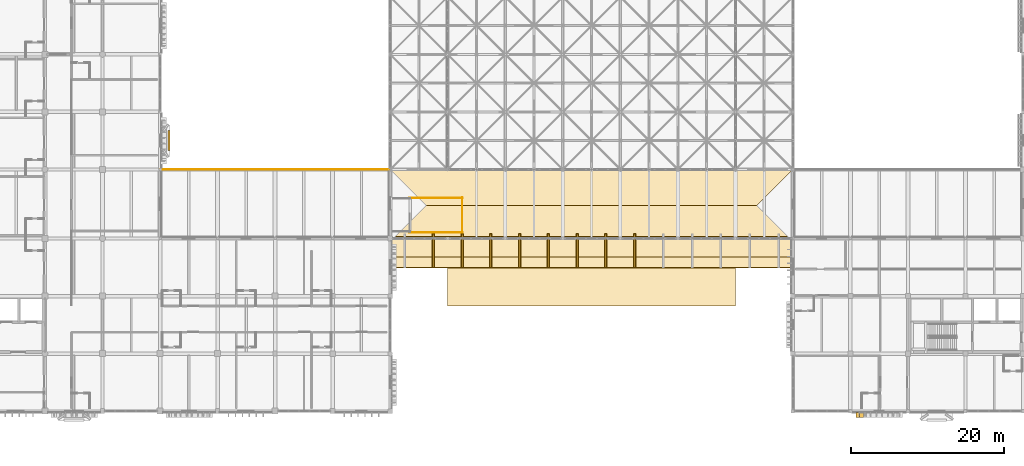
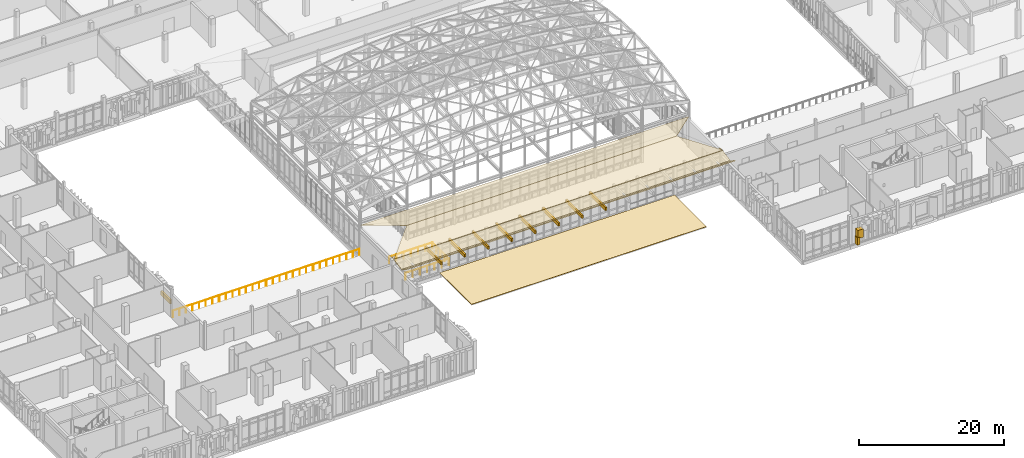
# One storey, part 116 of 131: 16 coverings, 7 railings.
"""IFC4 building model written with IfcOpenShell, lengths in metres."""

from ifc_helpers import new_model, si_unit, direction, frame, origin, origin_2d, place, context, subcontext, project, spatial, polyline, rectangle, circle, outline, extrude, material, layer, layer_set, type_object, element, save


model = new_model("IFC4")

# Units and contexts
model_context = context("Model", 3, precision=1e-05, world=origin(), true_north=direction((0.0, 1.0)))
body_context = subcontext(model_context, "Body", "Model", "MODEL_VIEW")
ifc_project = project(units=[si_unit("LENGTHUNIT", "METRE"), si_unit("AREAUNIT", "SQUARE_METRE"), si_unit("VOLUMEUNIT", "CUBIC_METRE"), si_unit("PLANEANGLEUNIT", "RADIAN"), si_unit("MASSUNIT", "GRAM", prefix="KILO")], contexts=[model_context])

# Site, building, storey
site_placement = place(None, origin())
site = spatial("IfcSite", under=ifc_project, at=site_placement, CompositionType="ELEMENT")
building_placement = place(site_placement, origin())
building = spatial("IfcBuilding", under=site, at=building_placement, Name="Dalvernix Boulevard General Hospital", CompositionType="ELEMENT")
storey_placement = place(building_placement, frame((0.0, 0.0, 9.300048828125)))
storey = spatial("IfcBuildingStorey", under=building, at=storey_placement, Name="L02", CompositionType="ELEMENT", Elevation=9.300048828125)

# Coverings
ifc_material_1 = material(Name="Pressed Catalan clay brick and dressed limestone parabolic archivolt", Category="masonry")
ifc_layer_1 = layer(ifc_material_1, 0.419921875)
ifc_layer_set_1 = layer_set([ifc_layer_1], Name="Pressed Catalan clay brick and dressed limestone parabolic archivolt (COV-ARC-01)")
covering_type_1 = type_object("IfcCoveringType", Name="COV-ARC-01", PredefinedType="CLADDING", material=ifc_layer_set_1)
covering_1_placement = place(storey_placement, frame((120.949951171875, -0.485107421875, 0.0), z_axis=(0.0, 0.0, 1.0), x_axis=(-1.0, 0.0, 0.0)))
element("IfcCovering", 1, at=covering_1_placement, inside=storey, type_object=covering_type_1, Name="L02 Catalan parabolic arch impost pier S 16-0-R", PredefinedType="CLADDING", context=body_context, shape_type="SweptSolid", body=[
    extrude(rectangle(XDim=0.4599609375, YDim=0.659912109375, at=origin_2d()), origin(), (0.0, 0.0, 1.0), 1.25),
])
covering_2_placement = place(storey_placement, frame((121.260986328125, -0.485107421875, 1.059814453125), z_axis=(0.0, 0.0, 1.0), x_axis=(-1.0, 0.0, 0.0)))
element("IfcCovering", 2, at=covering_2_placement, inside=storey, type_object=covering_type_1, Name="L02 Catalan parabolic archivolt voussoir S 16-0-9", PredefinedType="CLADDING", context=body_context, shape_type="SweptSolid", body=[
    extrude(rectangle(XDim=0.8623046875, YDim=0.659912109375, at=origin_2d()), origin(), (0.0, 0.0, 1.0), 1.3994140625),
])
ifc_material_2 = material(Name="Polychrome glazed Catalan trencadis ceramic faceted bay spandrel")
ifc_layer_2 = layer(ifc_material_2, 0.280029296875)
ifc_layer_set_2 = layer_set([ifc_layer_2], Name="Polychrome glazed Catalan trencadis ceramic faceted bay spandrel (COV-BAY-01)")
covering_type_2 = type_object("IfcCoveringType", Name="COV-BAY-01", PredefinedType="CLADDING", material=ifc_layer_set_2)
covering_3_placement = place(storey_placement, frame((31.18505859375, 35.25, 0.3798828125), z_axis=(0.0, 0.0, 1.0), x_axis=(0.0, -1.0, 0.0)))
element("IfcCovering", 3, at=covering_3_placement, inside=storey, type_object=covering_type_2, Name="L02 projecting faceted trencadis bay spandrel E 4-4", PredefinedType="CLADDING", context=body_context, shape_type="SweptSolid", body=[
    extrude(rectangle(XDim=2.60009765625, YDim=0.280029296875, at=origin_2d()), origin(), (0.0, 0.0, 1.0), 0.679931640625),
])
ifc_material_3 = material(Name="Glazed Catalan terracotta and iroko timber overhanging upturned eave", Category="masonry")
ifc_layer_3 = layer(ifc_material_3, 0.139892578125)
ifc_layer_set_3 = layer_set([ifc_layer_3], Name="Glazed Catalan terracotta and iroko timber overhanging upturned eave (COV-EAVE-01)")
covering_type_3 = type_object("IfcCoveringType", Name="COV-EAVE-01", PredefinedType="CLADDING", material=ifc_layer_set_3)
covering_4_placement = place(storey_placement, frame((60.0, 22.75, 5.06005859375), z_axis=(0.0, -0.185805173125, 0.982586605669), x_axis=(1.0, 0.0, 0.0)))
element("IfcCovering", 4, at=covering_4_placement, inside=storey, type_object=covering_type_3, Name="V1S overhanging ceramic eave skirt S", PredefinedType="CLADDING", context=body_context, shape_type="SweptSolid", body=[
    extrude(outline(polyline([(0.0, 0.0), (52.5, 0.0), (52.5, -2.798735484621844), (0.0, -2.798735484621844), (0.0, 0.0)])), origin(), (0.0, 0.0, -1.0), 0.139892578125),
])
covering_5_placement = place(storey_placement, frame((60.0, 20.080078125, 4.5400390625), z_axis=(0.0, 0.542906093133, 0.839793411524), x_axis=(1.0, 0.0, 0.0)))
element("IfcCovering", 5, at=covering_5_placement, inside=storey, type_object=covering_type_3, Name="V1S upturned ceramic eave wing S", PredefinedType="CLADDING", context=body_context, shape_type="SweptSolid", body=[
    extrude(outline(polyline([(0.0, 0.0), (52.5, 0.0), (52.5, -1.5838158608391104), (0.0, -1.5838158608391104), (0.0, 0.0)])), origin(), (0.0, 0.0, -1.0), 0.139892578125),
])
ifc_material_4 = material(Name="Preservative-treated glulam GL28h eave outlooker corbel bracket", Category="wood")
ifc_layer_4 = layer(ifc_material_4, 0.239990234375)
ifc_layer_set_4 = layer_set([ifc_layer_4], Name="Preservative-treated glulam GL28h eave outlooker corbel bracket (COV-OUTLOOK-01)")
covering_type_4 = type_object("IfcCoveringType", Name="COV-OUTLOOK-01", PredefinedType="CLADDING", material=ifc_layer_set_4)
for number, where, z_axis, x_axis, name in (
    (6, (65.625, 20.925048828125, 4.139892578125), (0.0, 0.0, 1.0), (1.0, 0.0, 0.0), "V1S glulam eave outlooker corbel S-2"),
    (7, (69.375, 20.925048828125, 4.139892578125), (0.0, 0.0, 1.0), (1.0, 0.0, 0.0), "V1S glulam eave outlooker corbel S-3"),
    (8, (73.125, 20.925048828125, 4.139892578125), (0.0, 0.0, 1.0), (1.0, 0.0, 0.0), "V1S glulam eave outlooker corbel S-4"),
    (9, (76.875, 20.925048828125, 4.139892578125), (0.0, 0.0, 1.0), (1.0, 0.0, 0.0), "V1S glulam eave outlooker corbel S-5"),
    (10, (80.625, 20.925048828125, 4.139892578125), (0.0, 0.0, 1.0), (1.0, 0.0, 0.0), "V1S glulam eave outlooker corbel S-6"),
    (11, (84.375, 20.925048828125, 4.139892578125), (0.0, 0.0, 1.0), (1.0, 0.0, 0.0), "V1S glulam eave outlooker corbel S-7"),
    (12, (88.125, 20.925048828125, 4.139892578125), (0.0, 0.0, 1.0), (1.0, 0.0, 0.0), "V1S glulam eave outlooker corbel S-8"),
    (13, (91.875, 20.925048828125, 4.139892578125), (0.0, 0.0, 1.0), (1.0, 0.0, 0.0), "V1S glulam eave outlooker corbel S-9"),
):
    element("IfcCovering", number, at=place(storey_placement, frame(where, z_axis=z_axis, x_axis=x_axis)), inside=storey, type_object=covering_type_4, Name=name, PredefinedType="CLADDING", context=body_context, shape_type="SweptSolid", body=[
        extrude(rectangle(XDim=0.260009765625, YDim=4.449951171875, at=origin_2d()), origin(), (0.0, 0.0, 1.0), 0.52001953125),
    ])
ifc_material_5 = material(Name="Polychrome Catalan glazed terracotta roof tiles", Category="masonry")
ifc_layer_5 = layer(ifc_material_5, 0.050048828125)
ifc_layer_set_5 = layer_set([ifc_layer_5], Name="Polychrome Catalan glazed terracotta roof tiles (COV-ROOF-01)")
covering_type_5 = type_object("IfcCoveringType", Name="COV-ROOF-01", PredefinedType="ROOFING", material=ifc_layer_set_5)
covering_6_placement = place(storey_placement, frame((0.0, 0.0, -0.179931640625)))
element("IfcCovering", 14, at=covering_6_placement, inside=storey, type_object=covering_type_5, Name="Porte-Cochere Glazed Ceramic Canopy Roofing", PredefinedType="ROOFING", context=body_context, shape_type="SweptSolid", body=[
    extrude(outline(polyline([(67.5, 13.699951171875), (105.0, 13.699951171875), (105.0, 22.5), (67.5, 22.5), (67.5, 13.699951171875)])), origin(), (0.0, 0.0, 1.0), 0.0498046875),
])
for number, where, z_axis, x_axis, name in (
    (15, (60.0, 22.10009765625, 5.070068359375), (0.0, -0.238509711225, 0.971140112266), (1.0, 0.0, 0.0), "V1S glazed terracotta tile slope S"),
    (16, (112.5, 31.5, 5.070068359375), (0.0, 0.238509711225, 0.971140112266), (-1.0, 0.0, 0.0), "V1S glazed terracotta tile slope N"),
):
    element("IfcCovering", number, at=place(storey_placement, frame(where, z_axis=z_axis, x_axis=x_axis)), inside=storey, type_object=covering_type_5, Name=name, PredefinedType="ROOFING", context=body_context, shape_type="SweptSolid", body=[
        extrude(outline(polyline([(0.0, 0.0), (52.5, 0.0), (47.800048828125, 4.839622123021998), (4.699951171875, 4.839622123021998), (0.0, 0.0)])), origin(), (0.0, 0.0, -1.0), 0.050048828125),
    ])

# Railings
ifc_material_6 = material(Name="Powder-coated galvanized steel balustrade", Category="steel")
railing_type_1 = type_object("IfcRailingType", Name="RL-GR-EXT1", PredefinedType="BALUSTRADE", material=ifc_material_6)
for number, where, name in (
    (17, (37.5400390625, 31.5, 0.0), "L02 terrace safety balustrade 1"),
    (18, (45.0400390625, 31.5, 0.0), "L02 terrace safety balustrade 2"),
):
    element("IfcRailing", number, at=place(storey_placement, frame(where)), inside=storey, type_object=railing_type_1, Name=name, PredefinedType="BALUSTRADE", context=body_context, shape_type="SweptSolid", body=[
        extrude(circle(Radius=0.02392578125, at=origin_2d()), frame((0.0, 0.0, 1.09619140625), z_axis=(1.0, 0.0, 0.0), x_axis=(0.0, 1.0, 0.0)), (0.0, 0.0, 1.0), 7.419921875),
        extrude(circle(Radius=0.02099609375, at=origin_2d()), origin(), (0.0, 0.0, 1.0), 1.072021484375),
        extrude(circle(Radius=0.02099609375, at=origin_2d()), frame((1.06005859375, 0.0, 0.0)), (0.0, 0.0, 1.0), 1.072021484375),
        extrude(circle(Radius=0.02099609375, at=origin_2d()), frame((2.119873046875, 0.0, 0.0)), (0.0, 0.0, 1.0), 1.072021484375),
        extrude(circle(Radius=0.02099609375, at=origin_2d()), frame((3.179931640625, 0.0, 0.0)), (0.0, 0.0, 1.0), 1.072021484375),
        extrude(circle(Radius=0.02099609375, at=origin_2d()), frame((4.239990234375, 0.0, 0.0)), (0.0, 0.0, 1.0), 1.072021484375),
        extrude(circle(Radius=0.02099609375, at=origin_2d()), frame((5.300048828125, 0.0, 0.0)), (0.0, 0.0, 1.0), 1.072021484375),
        extrude(circle(Radius=0.02099609375, at=origin_2d()), frame((6.35986328125, 0.0, 0.0)), (0.0, 0.0, 1.0), 1.072021484375),
        extrude(circle(Radius=0.02099609375, at=origin_2d()), frame((7.419921875, 0.0, 0.0)), (0.0, 0.0, 1.0), 1.072021484375),
    ])
for number, where, name in (
    (19, (52.5400390625, 31.5, 0.0), "L02 terrace safety balustrade 3"),
    (20, (30.090087890625, 31.5, 0.0), "L02 terrace safety balustrade 4"),
):
    element("IfcRailing", number, at=place(storey_placement, frame(where)), inside=storey, type_object=railing_type_1, Name=name, PredefinedType="BALUSTRADE", context=body_context, shape_type="SweptSolid", body=[
        extrude(circle(Radius=0.02392578125, at=origin_2d()), frame((0.0, 0.0, 1.09619140625), z_axis=(1.0, 0.0, 0.0), x_axis=(0.0, 1.0, 0.0)), (0.0, 0.0, 1.0), 7.369873046875),
        extrude(circle(Radius=0.02099609375, at=origin_2d()), origin(), (0.0, 0.0, 1.0), 1.072021484375),
        extrude(circle(Radius=0.02099609375, at=origin_2d()), frame((1.052734375, 0.0, 0.0)), (0.0, 0.0, 1.0), 1.072021484375),
        extrude(circle(Radius=0.02099609375, at=origin_2d()), frame((2.105712890625, 0.0, 0.0)), (0.0, 0.0, 1.0), 1.072021484375),
        extrude(circle(Radius=0.02099609375, at=origin_2d()), frame((3.158447265625, 0.0, 0.0)), (0.0, 0.0, 1.0), 1.072021484375),
        extrude(circle(Radius=0.02099609375, at=origin_2d()), frame((4.21142578125, 0.0, 0.0)), (0.0, 0.0, 1.0), 1.072021484375),
        extrude(circle(Radius=0.02099609375, at=origin_2d()), frame((5.26416015625, 0.0, 0.0)), (0.0, 0.0, 1.0), 1.072021484375),
        extrude(circle(Radius=0.02099609375, at=origin_2d()), frame((6.317138671875, 0.0, 0.0)), (0.0, 0.0, 1.0), 1.072021484375),
        extrude(circle(Radius=0.02099609375, at=origin_2d()), frame((7.369873046875, 0.0, 0.0)), (0.0, 0.0, 1.0), 1.072021484375),
    ])
ifc_material_7 = material(Name="Brushed stainless steel balustrade", Category="steel")
railing_type_2 = type_object("IfcRailingType", Name="RL-GR-INT1", PredefinedType="BALUSTRADE", material=ifc_material_7)
for number, where, name in (
    (21, (62.5, 23.300048828125, 0.0), "L02 ST-07 top well guard 2"),
    (22, (62.5, 27.800048828125, 0.0), "L02 ST-07 top well guard 3"),
):
    element("IfcRailing", number, at=place(storey_placement, frame(where)), inside=storey, type_object=railing_type_2, Name=name, PredefinedType="BALUSTRADE", context=body_context, shape_type="SweptSolid", body=[
        extrude(circle(Radius=0.02392578125, at=origin_2d()), frame((0.0, 0.0, 1.09619140625), z_axis=(1.0, 0.0, 0.0), x_axis=(0.0, 1.0, 0.0)), (0.0, 0.0, 1.0), 6.949951171875),
        extrude(circle(Radius=0.02099609375, at=origin_2d()), origin(), (0.0, 0.0, 1.0), 1.072021484375),
        extrude(circle(Radius=0.02099609375, at=origin_2d()), frame((1.158203125, 0.0, 0.0)), (0.0, 0.0, 1.0), 1.072021484375),
        extrude(circle(Radius=0.02099609375, at=origin_2d()), frame((2.316650390625, 0.0, 0.0)), (0.0, 0.0, 1.0), 1.072021484375),
        extrude(circle(Radius=0.02099609375, at=origin_2d()), frame((3.47509765625, 0.0, 0.0)), (0.0, 0.0, 1.0), 1.072021484375),
        extrude(circle(Radius=0.02099609375, at=origin_2d()), frame((4.63330078125, 0.0, 0.0)), (0.0, 0.0, 1.0), 1.072021484375),
        extrude(circle(Radius=0.02099609375, at=origin_2d()), frame((5.79150390625, 0.0, 0.0)), (0.0, 0.0, 1.0), 1.072021484375),
        extrude(circle(Radius=0.02099609375, at=origin_2d()), frame((6.949951171875, 0.0, 0.0)), (0.0, 0.0, 1.0), 1.072021484375),
    ])
railing_placement = place(storey_placement, frame((69.39990234375, 23.25, 0.0)))
element("IfcRailing", 23, at=railing_placement, inside=storey, type_object=railing_type_2, Name="L02 ST-07 top well guard 4", PredefinedType="BALUSTRADE", context=body_context, shape_type="SweptSolid", body=[
    extrude(circle(Radius=0.02392578125, at=origin_2d()), frame((0.0, 0.0, 1.09619140625), z_axis=(0.0, 1.0, 0.0), x_axis=(-1.0, 0.0, 0.0)), (0.0, 0.0, 1.0), 4.60009765625),
    extrude(circle(Radius=0.02099609375, at=origin_2d()), origin(), (0.0, 0.0, 1.0), 1.072021484375),
    extrude(circle(Radius=0.02099609375, at=origin_2d()), frame((0.0, 1.14990234375, 0.0)), (0.0, 0.0, 1.0), 1.072021484375),
    extrude(circle(Radius=0.02099609375, at=origin_2d()), frame((0.0, 2.300048828125, 0.0)), (0.0, 0.0, 1.0), 1.072021484375),
    extrude(circle(Radius=0.02099609375, at=origin_2d()), frame((0.0, 3.4501953125, 0.0)), (0.0, 0.0, 1.0), 1.072021484375),
    extrude(circle(Radius=0.02099609375, at=origin_2d()), frame((0.0, 4.60009765625, 0.0)), (0.0, 0.0, 1.0), 1.072021484375),
])

save(model, "model.ifc")
